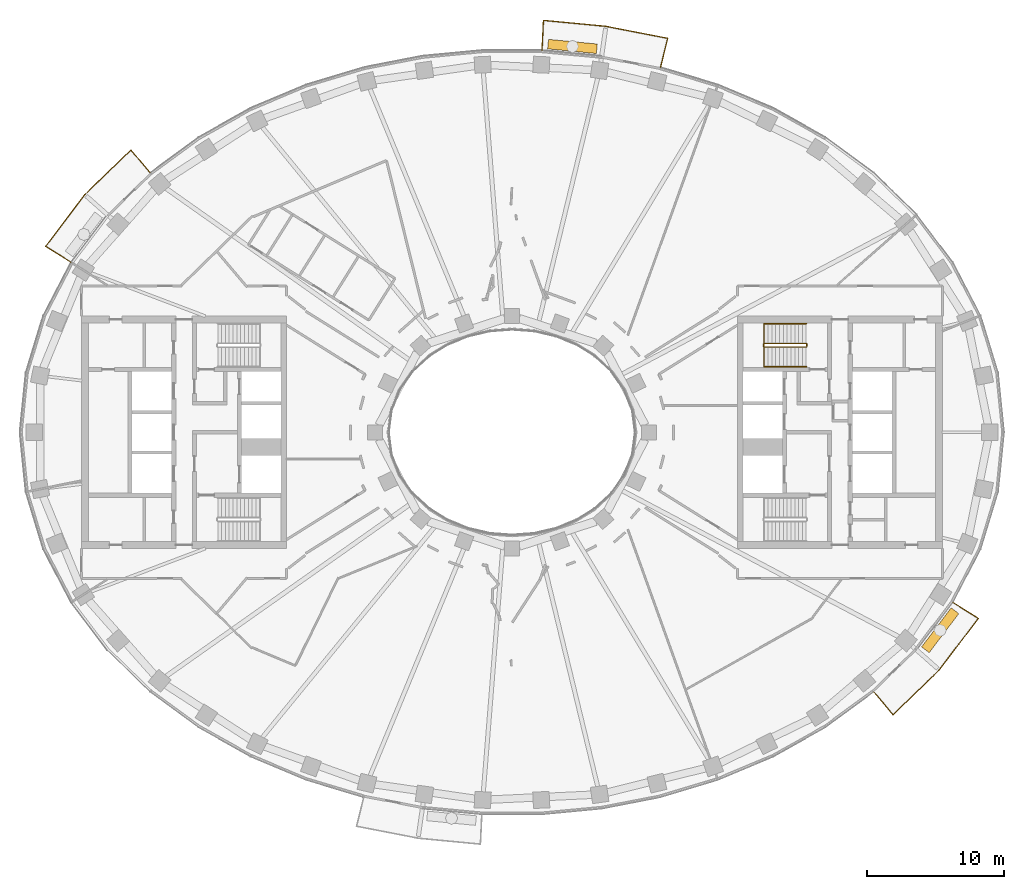
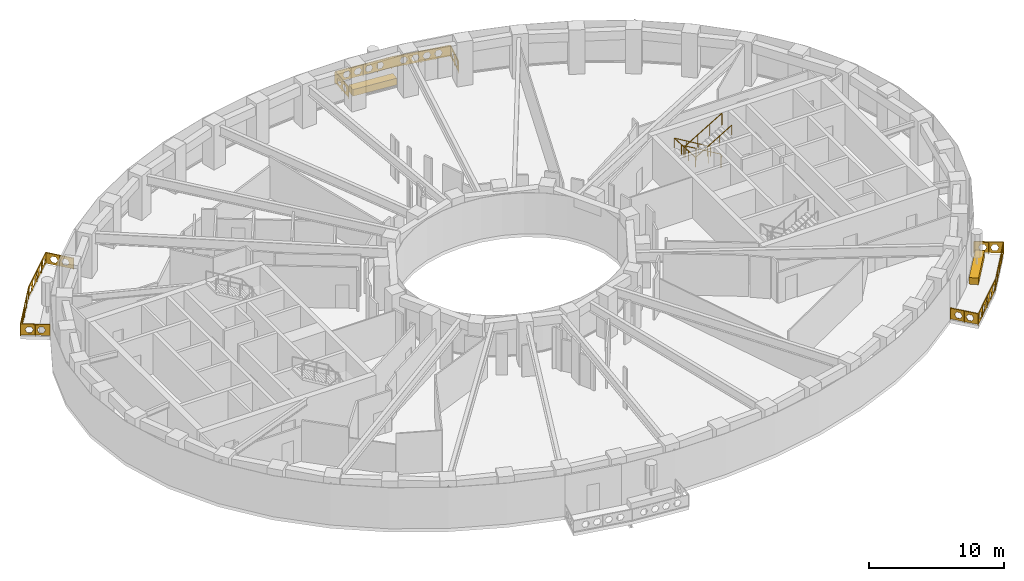
# One storey, part 15 of 16: 5 railings, 2 coverings.
"""IFC4 building model written with IfcOpenShell, lengths in metres."""

from ifc_helpers import new_model, si_unit, direction, frame, origin, origin_2d, place, context, subcontext, project, spatial, polyline, rectangle, outline, extrude, material, type_object, element, save


model = new_model("IFC4")

# Units and contexts
model_context = context("Model", 3, precision=1e-05, world=origin(), true_north=direction((0.0, 1.0)))
body_context = subcontext(model_context, "Body", "Model", "MODEL_VIEW")
ifc_project = project(units=[si_unit("LENGTHUNIT", "METRE"), si_unit("AREAUNIT", "SQUARE_METRE"), si_unit("VOLUMEUNIT", "CUBIC_METRE"), si_unit("PLANEANGLEUNIT", "RADIAN"), si_unit("MASSUNIT", "GRAM", prefix="KILO")], contexts=[model_context])

# Site, building, storey
site_placement = place(None, origin())
site = spatial("IfcSite", under=ifc_project, at=site_placement, CompositionType="ELEMENT")
building_placement = place(site_placement, origin())
building = spatial("IfcBuilding", under=site, at=building_placement, Name="Noorbagh Ring Tower", CompositionType="ELEMENT")
storey_placement = place(building_placement, frame((0.0, 0.0, 154.0)))
storey = spatial("IfcBuildingStorey", under=building, at=storey_placement, Name="L35", CompositionType="ELEMENT", Elevation=154.0)

# Railings
ifc_material_1 = material(Name="Stainless steel", Category="steel")
railing_type_1 = type_object("IfcRailingType", Name="CORE-STAIR-GUARD", PredefinedType="GUARDRAIL", material=ifc_material_1)
railing_1_placement = place(storey_placement, frame((21.580078125, 6.449951171875, 0.0)))
element("IfcRailing", 1, at=railing_1_placement, inside=storey, type_object=railing_type_1, Name="L35 ST3 stair guard", PredefinedType="GUARDRAIL", context=body_context, shape_type="SweptSolid", body=[
    extrude(rectangle(XDim=0.048095703125, YDim=0.048095703125, at=origin_2d()), frame((0.0, 0.0, 1.076171875), z_axis=(0.0, -1.0, 0.0), x_axis=(1.0, 0.0, 0.0)), (0.0, 0.0, 1.0), 0.14990234375),
    extrude(rectangle(XDim=0.048095703125, YDim=0.048095703125, at=origin_2d()), frame((0.0, -0.14990234375, 1.076171875), z_axis=(-0.188775798145, 0.754182335027, 0.628945707965), x_axis=(-0.970072785993, -0.242814311512, 0.0)), (0.0, 0.0, 1.0), 0.26513671875),
    extrude(rectangle(XDim=0.048095703125, YDim=0.048095703125, at=origin_2d()), frame((-0.050048828125, 0.050048828125, 1.24267578125), z_axis=(-0.859308565015, 0.0, 0.511457515432), x_axis=(0.0, -1.0, 0.0)), (0.0, 0.0, 1.0), 3.58447265625),
    extrude(rectangle(XDim=0.048095703125, YDim=0.048095703125, at=origin_2d()), frame((-3.130126953125, 0.050048828125, 3.076171875), z_axis=(-0.707106781187, -0.707106781187, 0.0), x_axis=(0.707106781187, -0.707106781187, 0.0)), (0.0, 0.0, 1.0), 0.07080078125),
    extrude(rectangle(XDim=0.048095703125, YDim=0.048095703125, at=origin_2d()), frame((-3.18017578125, 0.0, 3.076171875), z_axis=(0.0, -1.0, 0.0), x_axis=(1.0, 0.0, 0.0)), (0.0, 0.0, 1.0), 0.14990234375),
    extrude(rectangle(XDim=0.048095703125, YDim=0.048095703125, at=origin_2d()), frame((-3.18017578125, -0.14990234375, 3.076171875), z_axis=(0.27628659633, -0.27628659633, 0.920506074601), x_axis=(0.707106781187, 0.707106781187, 0.0)), (0.0, 0.0, 1.0), 0.18115234375),
    extrude(rectangle(XDim=0.048095703125, YDim=0.048095703125, at=origin_2d()), frame((-3.130126953125, -0.199951171875, 3.24267578125), z_axis=(0.859308565015, 0.0, 0.511457515432), x_axis=(0.0, 1.0, 0.0)), (0.0, 0.0, 1.0), 3.58447265625),
    extrude(rectangle(XDim=0.0419921875, YDim=0.0419921875, at=origin_2d()), origin(), (0.0, 0.0, 1.0), 1.052001953125),
    extrude(rectangle(XDim=0.0419921875, YDim=0.0419921875, at=origin_2d()), frame((-1.07666015625, 0.050048828125, 0.77783203125)), (0.0, 0.0, 1.0), 1.052001953125),
    extrude(rectangle(XDim=0.0419921875, YDim=0.0419921875, at=origin_2d()), frame((-2.103515625, 0.050048828125, 1.388916015625)), (0.0, 0.0, 1.0), 1.052001953125),
    extrude(rectangle(XDim=0.0419921875, YDim=0.0419921875, at=origin_2d()), frame((-3.130126953125, 0.050048828125, 2.0)), (0.0, 0.0, 1.0), 1.052001953125),
    extrude(rectangle(XDim=0.0419921875, YDim=0.0419921875, at=origin_2d()), frame((-3.130126953125, -0.199951171875, 2.166748046875)), (0.0, 0.0, 1.0), 1.052001953125),
    extrude(rectangle(XDim=0.0419921875, YDim=0.0419921875, at=origin_2d()), frame((-2.103515625, -0.199951171875, 2.77783203125)), (0.0, 0.0, 1.0), 1.052001953125),
    extrude(rectangle(XDim=0.0419921875, YDim=0.0419921875, at=origin_2d()), frame((-1.07666015625, -0.199951171875, 3.388916015625)), (0.0, 0.0, 1.0), 1.052001953125),
    extrude(rectangle(XDim=0.0419921875, YDim=0.0419921875, at=origin_2d()), frame((-0.050048828125, -0.199951171875, 4.0)), (0.0, 0.0, 1.0), 1.052001953125),
])
ifc_material_2 = material(Name="Stainless steel", Category="steel")
railing_type_2 = type_object("IfcRailingType", Name="CORE-STAIR-HANDRAIL", PredefinedType="HANDRAIL", material=ifc_material_2)
railing_2_placement = place(storey_placement, frame((21.530029296875, 7.949951171875, 0.166748046875)))
element("IfcRailing", 2, at=railing_2_placement, inside=storey, type_object=railing_type_2, Name="L35 ST3 stair handrail", PredefinedType="HANDRAIL", context=body_context, shape_type="SweptSolid", body=[
    extrude(rectangle(XDim=0.048095703125, YDim=0.048095703125, at=origin_2d()), frame((0.0, 0.0, 0.8759765625), z_axis=(-0.859308565015, 0.0, 0.511457515432), x_axis=(0.0, -1.0, 0.0)), (0.0, 0.0, 1.0), 3.58447265625),
    extrude(rectangle(XDim=0.048095703125, YDim=0.048095703125, at=origin_2d()), frame((-3.080078125, 0.0, 2.708984375), z_axis=(0.0, -0.998601747152, 0.052863509014), x_axis=(1.0, 0.0, 0.0)), (0.0, 0.0, 1.0), 3.154296875),
    extrude(rectangle(XDim=0.048095703125, YDim=0.048095703125, at=origin_2d()), frame((-3.080078125, -3.14990234375, 2.8759765625), z_axis=(0.859308565015, 0.0, 0.511457515432), x_axis=(0.0, 1.0, 0.0)), (0.0, 0.0, 1.0), 3.58447265625),
    extrude(rectangle(XDim=0.0419921875, YDim=0.0419921875, at=origin_2d()), origin(), (0.0, 0.0, 1.0), 0.851806640625),
    extrude(rectangle(XDim=0.0419921875, YDim=0.0419921875, at=origin_2d()), frame((-1.026611328125, 0.0, 0.611083984375)), (0.0, 0.0, 1.0), 0.851806640625),
    extrude(rectangle(XDim=0.0419921875, YDim=0.0419921875, at=origin_2d()), frame((-2.053466796875, 0.0, 1.22216796875)), (0.0, 0.0, 1.0), 0.851806640625),
    extrude(rectangle(XDim=0.0419921875, YDim=0.0419921875, at=origin_2d()), frame((-3.080078125, 0.0, 1.833251953125)), (0.0, 0.0, 1.0), 0.851806640625),
    extrude(rectangle(XDim=0.0419921875, YDim=0.0419921875, at=origin_2d()), frame((-3.080078125, -1.050048828125, 1.888916015625)), (0.0, 0.0, 1.0), 0.851806640625),
    extrude(rectangle(XDim=0.0419921875, YDim=0.0419921875, at=origin_2d()), frame((-3.080078125, -2.099853515625, 1.9443359375)), (0.0, 0.0, 1.0), 0.851806640625),
    extrude(rectangle(XDim=0.0419921875, YDim=0.0419921875, at=origin_2d()), frame((-3.080078125, -3.14990234375, 2.0)), (0.0, 0.0, 1.0), 0.851806640625),
    extrude(rectangle(XDim=0.0419921875, YDim=0.0419921875, at=origin_2d()), frame((-2.053466796875, -3.14990234375, 2.611083984375)), (0.0, 0.0, 1.0), 0.851806640625),
    extrude(rectangle(XDim=0.0419921875, YDim=0.0419921875, at=origin_2d()), frame((-1.026611328125, -3.14990234375, 3.22216796875)), (0.0, 0.0, 1.0), 0.851806640625),
    extrude(rectangle(XDim=0.0419921875, YDim=0.0419921875, at=origin_2d()), frame((0.0, -3.14990234375, 3.833251953125)), (0.0, 0.0, 1.0), 0.851806640625),
])
ifc_material_3 = material(Name="Steel S275 black powder-coated", Category="steel")
railing_type_3 = type_object("IfcRailingType", Name="ENV-GUARD", PredefinedType="GUARDRAIL", material=ifc_material_3)
railing_3_placement = place(storey_placement, frame((10.865234375, 26.6943359375, 0.0)))
element("IfcRailing", 3, at=railing_3_placement, inside=storey, type_object=railing_type_3, Name="Balcony guard BN03", PredefinedType="GUARDRAIL", context=body_context, shape_type="SweptSolid", body=[
    extrude(rectangle(XDim=0.048095703125, YDim=0.048095703125, at=origin_2d()), frame((0.0, 0.0, 1.076171875), z_axis=(0.239848558412, 0.970810315679, 0.0), x_axis=(-0.970810315679, 0.239848558412, 0.0)), (0.0, 0.0, 1.0), 2.20263671875),
    extrude(rectangle(XDim=0.048095703125, YDim=0.048095703125, at=origin_2d()), frame((0.5283203125, 2.138427734375, 1.076171875), z_axis=(-0.981625049064, 0.1908199755, 0.0), x_axis=(-0.1908199755, -0.981625049064, 0.0)), (0.0, 0.0, 1.0), 4.603271484375),
    extrude(rectangle(XDim=0.048095703125, YDim=0.048095703125, at=origin_2d()), frame((-3.990478515625, 3.016845703125, 1.076171875), z_axis=(-0.995477555764, 0.094997031379, 0.0), x_axis=(-0.094997031379, -0.995477555764, 0.0)), (0.0, 0.0, 1.0), 4.59765625),
    extrude(rectangle(XDim=0.048095703125, YDim=0.048095703125, at=origin_2d()), frame((-8.5673828125, 3.45361328125, 1.076171875), z_axis=(-0.047554616162, -0.998868639252, 0.0), x_axis=(0.998868639252, -0.047554616162, 0.0)), (0.0, 0.0, 1.0), 2.202392578125),
    extrude(rectangle(XDim=0.0419921875, YDim=0.0419921875, at=origin_2d()), origin(), (0.0, 0.0, 1.0), 1.052001953125),
    extrude(rectangle(XDim=0.0419921875, YDim=0.0419921875, at=origin_2d()), frame((0.26416015625, 1.0693359375, 0.0)), (0.0, 0.0, 1.0), 1.052001953125),
    extrude(rectangle(XDim=0.0419921875, YDim=0.0419921875, at=origin_2d()), frame((0.5283203125, 2.138427734375, 0.0)), (0.0, 0.0, 1.0), 1.052001953125),
    extrude(rectangle(XDim=0.0419921875, YDim=0.0419921875, at=origin_2d()), frame((-0.601318359375, 2.35791015625, 0.0)), (0.0, 0.0, 1.0), 1.052001953125),
    extrude(rectangle(XDim=0.0419921875, YDim=0.0419921875, at=origin_2d()), frame((-1.73095703125, 2.57763671875, 0.0)), (0.0, 0.0, 1.0), 1.052001953125),
    extrude(rectangle(XDim=0.0419921875, YDim=0.0419921875, at=origin_2d()), frame((-2.86083984375, 2.79736328125, 0.0)), (0.0, 0.0, 1.0), 1.052001953125),
    extrude(rectangle(XDim=0.0419921875, YDim=0.0419921875, at=origin_2d()), frame((-3.990478515625, 3.016845703125, 0.0)), (0.0, 0.0, 1.0), 1.052001953125),
    extrude(rectangle(XDim=0.0419921875, YDim=0.0419921875, at=origin_2d()), frame((-5.134765625, 3.1259765625, 0.0)), (0.0, 0.0, 1.0), 1.052001953125),
    extrude(rectangle(XDim=0.0419921875, YDim=0.0419921875, at=origin_2d()), frame((-6.27880859375, 3.2353515625, 0.0)), (0.0, 0.0, 1.0), 1.052001953125),
    extrude(rectangle(XDim=0.0419921875, YDim=0.0419921875, at=origin_2d()), frame((-7.423095703125, 3.344482421875, 0.0)), (0.0, 0.0, 1.0), 1.052001953125),
    extrude(rectangle(XDim=0.0419921875, YDim=0.0419921875, at=origin_2d()), frame((-8.5673828125, 3.45361328125, 0.0)), (0.0, 0.0, 1.0), 1.052001953125),
    extrude(rectangle(XDim=0.0419921875, YDim=0.0419921875, at=origin_2d()), frame((-8.61962890625, 2.353515625, 0.0)), (0.0, 0.0, 1.0), 1.052001953125),
    extrude(rectangle(XDim=0.0419921875, YDim=0.0419921875, at=origin_2d()), frame((-8.672119140625, 1.253662109375, 0.0)), (0.0, 0.0, 1.0), 1.052001953125),
    extrude(outline(polyline([(0.0, 0.10009765625), (2.20263671875, 0.10009765625), (2.20263671875, 1.031982421875), (0.0, 1.031982421875), (0.0, 0.10009765625)]), holes=[polyline([(0.96142578125, 0.56591796875), (0.806396484375, 0.83447265625), (0.496337890625, 0.83447265625), (0.34130859375, 0.56591796875), (0.496337890625, 0.297607421875), (0.806396484375, 0.297607421875), (0.96142578125, 0.56591796875)]), polyline([(1.861328125, 0.56591796875), (1.706298828125, 0.83447265625), (1.396240234375, 0.83447265625), (1.241455078125, 0.56591796875), (1.396240234375, 0.297607421875), (1.706298828125, 0.297607421875), (1.861328125, 0.56591796875)])]), frame((-0.009765625, 0.00244140625, 0.0), z_axis=(0.970810315679, -0.239848558412, 0.0), x_axis=(0.239848558412, 0.970810315679, 0.0)), (0.0, 0.0, 1.0), 0.02001953125),
    extrude(outline(polyline([(0.0, 0.10009765625), (4.603271484375, 0.10009765625), (4.603271484375, 1.031982421875), (0.0, 1.031982421875), (0.0, 0.10009765625)]), holes=[polyline([(1.26171875, 0.56591796875), (1.106689453125, 0.83447265625), (0.796630859375, 0.83447265625), (0.6416015625, 0.56591796875), (0.796630859375, 0.297607421875), (1.106689453125, 0.297607421875), (1.26171875, 0.56591796875)]), polyline([(2.16162109375, 0.56591796875), (2.006591796875, 0.83447265625), (1.69677734375, 0.83447265625), (1.541748046875, 0.56591796875), (1.69677734375, 0.297607421875), (2.006591796875, 0.297607421875), (2.16162109375, 0.56591796875)]), polyline([(3.061767578125, 0.56591796875), (2.90673828125, 0.83447265625), (2.5966796875, 0.83447265625), (2.441650390625, 0.56591796875), (2.5966796875, 0.297607421875), (2.90673828125, 0.297607421875), (3.061767578125, 0.56591796875)]), polyline([(3.961669921875, 0.56591796875), (3.806640625, 0.83447265625), (3.49658203125, 0.83447265625), (3.341796875, 0.56591796875), (3.49658203125, 0.297607421875), (3.806640625, 0.297607421875), (3.961669921875, 0.56591796875)])]), frame((0.5263671875, 2.128662109375, 0.0), z_axis=(0.1908199755, 0.981625049064, 0.0), x_axis=(-0.981625049064, 0.1908199755, 0.0)), (0.0, 0.0, 1.0), 0.02001953125),
    extrude(outline(polyline([(0.0, 0.10009765625), (4.59765625, 0.10009765625), (4.59765625, 1.031982421875), (0.0, 1.031982421875), (0.0, 0.10009765625)]), holes=[polyline([(1.2587890625, 0.56591796875), (1.103759765625, 0.83447265625), (0.7939453125, 0.83447265625), (0.638916015625, 0.56591796875), (0.7939453125, 0.297607421875), (1.103759765625, 0.297607421875), (1.2587890625, 0.56591796875)]), polyline([(2.158935546875, 0.56591796875), (2.00390625, 0.83447265625), (1.69384765625, 0.83447265625), (1.538818359375, 0.56591796875), (1.69384765625, 0.297607421875), (2.00390625, 0.297607421875), (2.158935546875, 0.56591796875)]), polyline([(3.058837890625, 0.56591796875), (2.90380859375, 0.83447265625), (2.59375, 0.83447265625), (2.43896484375, 0.56591796875), (2.59375, 0.297607421875), (2.90380859375, 0.297607421875), (3.058837890625, 0.56591796875)]), polyline([(3.958740234375, 0.56591796875), (3.803955078125, 0.83447265625), (3.493896484375, 0.83447265625), (3.3388671875, 0.56591796875), (3.493896484375, 0.297607421875), (3.803955078125, 0.297607421875), (3.958740234375, 0.56591796875)])]), frame((-3.991455078125, 3.0068359375, 0.0), z_axis=(0.094997031379, 0.995477555764, 0.0), x_axis=(-0.995477555764, 0.094997031379, 0.0)), (0.0, 0.0, 1.0), 0.02001953125),
    extrude(outline(polyline([(0.0, 0.10009765625), (2.202392578125, 0.10009765625), (2.202392578125, 1.031982421875), (0.0, 1.031982421875), (0.0, 0.10009765625)]), holes=[polyline([(0.961181640625, 0.56591796875), (0.80615234375, 0.83447265625), (0.496337890625, 0.83447265625), (0.34130859375, 0.56591796875), (0.496337890625, 0.297607421875), (0.80615234375, 0.297607421875), (0.961181640625, 0.56591796875)]), polyline([(1.861328125, 0.56591796875), (1.706298828125, 0.83447265625), (1.396240234375, 0.83447265625), (1.2412109375, 0.56591796875), (1.396240234375, 0.297607421875), (1.706298828125, 0.297607421875), (1.861328125, 0.56591796875)])]), frame((-8.557373046875, 3.453125, 0.0), z_axis=(-0.998868639252, 0.047554616162, 0.0), x_axis=(-0.047554616162, -0.998868639252, 0.0)), (0.0, 0.0, 1.0), 0.02001953125),
])
railing_4_placement = place(storey_placement, frame((-26.463134765625, 18.983154296875, 0.0)))
element("IfcRailing", 4, at=railing_4_placement, inside=storey, type_object=railing_type_3, Name="Balcony guard BN06", PredefinedType="GUARDRAIL", context=body_context, shape_type="SweptSolid", body=[
    extrude(rectangle(XDim=0.048095703125, YDim=0.048095703125, at=origin_2d()), frame((0.0, 0.0, 1.076171875), z_axis=(-0.646413574048, 0.762987215677, 0.0), x_axis=(-0.762987215677, -0.646413574048, 0.0)), (0.0, 0.0, 1.0), 2.205322265625),
    extrude(rectangle(XDim=0.048095703125, YDim=0.048095703125, at=origin_2d()), frame((-1.425537109375, 1.6826171875, 1.076171875), z_axis=(-0.717212632946, -0.696854388766, 0.0), x_axis=(0.696854388766, -0.717212632946, 0.0)), (0.0, 0.0, 1.0), 4.700927734375),
    extrude(rectangle(XDim=0.048095703125, YDim=0.048095703125, at=origin_2d()), frame((-4.797119140625, -1.59326171875, 1.076171875), z_axis=(-0.604001613322, -0.796983093362, 0.0), x_axis=(0.796983093362, -0.604001613322, 0.0)), (0.0, 0.0, 1.0), 4.7353515625),
    extrude(rectangle(XDim=0.048095703125, YDim=0.048095703125, at=origin_2d()), frame((-7.6572265625, -5.3671875, 1.076171875), z_axis=(0.844852397829, -0.534999463442, 0.0), x_axis=(0.534999463442, 0.844852397829, 0.0)), (0.0, 0.0, 1.0), 2.207763671875),
    extrude(rectangle(XDim=0.0419921875, YDim=0.0419921875, at=origin_2d()), origin(), (0.0, 0.0, 1.0), 1.052001953125),
    extrude(rectangle(XDim=0.0419921875, YDim=0.0419921875, at=origin_2d()), frame((-0.712890625, 0.84130859375, 0.0)), (0.0, 0.0, 1.0), 1.052001953125),
    extrude(rectangle(XDim=0.0419921875, YDim=0.0419921875, at=origin_2d()), frame((-1.425537109375, 1.6826171875, 0.0)), (0.0, 0.0, 1.0), 1.052001953125),
    extrude(rectangle(XDim=0.0419921875, YDim=0.0419921875, at=origin_2d()), frame((-2.2685546875, 0.86376953125, 0.0)), (0.0, 0.0, 1.0), 1.052001953125),
    extrude(rectangle(XDim=0.0419921875, YDim=0.0419921875, at=origin_2d()), frame((-3.111328125, 0.044677734375, 0.0)), (0.0, 0.0, 1.0), 1.052001953125),
    extrude(rectangle(XDim=0.0419921875, YDim=0.0419921875, at=origin_2d()), frame((-3.9541015625, -0.7744140625, 0.0)), (0.0, 0.0, 1.0), 1.052001953125),
    extrude(rectangle(XDim=0.0419921875, YDim=0.0419921875, at=origin_2d()), frame((-4.797119140625, -1.59326171875, 0.0)), (0.0, 0.0, 1.0), 1.052001953125),
    extrude(rectangle(XDim=0.0419921875, YDim=0.0419921875, at=origin_2d()), frame((-5.51220703125, -2.53662109375, 0.0)), (0.0, 0.0, 1.0), 1.052001953125),
    extrude(rectangle(XDim=0.0419921875, YDim=0.0419921875, at=origin_2d()), frame((-6.22705078125, -3.480224609375, 0.0)), (0.0, 0.0, 1.0), 1.052001953125),
    extrude(rectangle(XDim=0.0419921875, YDim=0.0419921875, at=origin_2d()), frame((-6.942138671875, -4.423828125, 0.0)), (0.0, 0.0, 1.0), 1.052001953125),
    extrude(rectangle(XDim=0.0419921875, YDim=0.0419921875, at=origin_2d()), frame((-7.6572265625, -5.3671875, 0.0)), (0.0, 0.0, 1.0), 1.052001953125),
    extrude(rectangle(XDim=0.0419921875, YDim=0.0419921875, at=origin_2d()), frame((-6.724609375, -5.957763671875, 0.0)), (0.0, 0.0, 1.0), 1.052001953125),
    extrude(rectangle(XDim=0.0419921875, YDim=0.0419921875, at=origin_2d()), frame((-5.7919921875, -6.54833984375, 0.0)), (0.0, 0.0, 1.0), 1.052001953125),
    extrude(outline(polyline([(0.0, 0.10009765625), (2.205322265625, 0.10009765625), (2.205322265625, 1.031982421875), (0.0, 1.031982421875), (0.0, 0.10009765625)]), holes=[polyline([(0.962646484375, 0.56591796875), (0.8076171875, 0.83447265625), (0.49755859375, 0.83447265625), (0.342529296875, 0.56591796875), (0.49755859375, 0.297607421875), (0.8076171875, 0.297607421875), (0.962646484375, 0.56591796875)]), polyline([(1.862548828125, 0.56591796875), (1.707763671875, 0.83447265625), (1.397705078125, 0.83447265625), (1.24267578125, 0.56591796875), (1.397705078125, 0.297607421875), (1.707763671875, 0.297607421875), (1.862548828125, 0.56591796875)])]), frame((-0.007568359375, -0.00634765625, 0.0), z_axis=(0.762987215677, 0.646413574048, 0.0), x_axis=(-0.646413574048, 0.762987215677, 0.0)), (0.0, 0.0, 1.0), 0.02001953125),
    extrude(outline(polyline([(0.0, 0.10009765625), (4.700927734375, 0.10009765625), (4.700927734375, 1.031982421875), (0.0, 1.031982421875), (0.0, 0.10009765625)]), holes=[polyline([(0.860595703125, 0.56591796875), (0.70556640625, 0.83447265625), (0.3955078125, 0.83447265625), (0.240478515625, 0.56591796875), (0.3955078125, 0.297607421875), (0.70556640625, 0.297607421875), (0.860595703125, 0.56591796875)]), polyline([(1.760498046875, 0.56591796875), (1.60546875, 0.83447265625), (1.29541015625, 0.83447265625), (1.140380859375, 0.56591796875), (1.29541015625, 0.297607421875), (1.60546875, 0.297607421875), (1.760498046875, 0.56591796875)]), polyline([(2.660400390625, 0.56591796875), (2.50537109375, 0.83447265625), (2.195556640625, 0.83447265625), (2.04052734375, 0.56591796875), (2.195556640625, 0.297607421875), (2.50537109375, 0.297607421875), (2.660400390625, 0.56591796875)]), polyline([(3.560546875, 0.56591796875), (3.405517578125, 0.83447265625), (3.095458984375, 0.83447265625), (2.9404296875, 0.56591796875), (3.095458984375, 0.297607421875), (3.405517578125, 0.297607421875), (3.560546875, 0.56591796875)]), polyline([(4.46044921875, 0.56591796875), (4.305419921875, 0.83447265625), (3.995361328125, 0.83447265625), (3.840576171875, 0.56591796875), (3.995361328125, 0.297607421875), (4.305419921875, 0.297607421875), (4.46044921875, 0.56591796875)])]), frame((-1.41845703125, 1.675537109375, 0.0), z_axis=(-0.696854388766, 0.717212632946, 0.0), x_axis=(-0.717212632946, -0.696854388766, 0.0)), (0.0, 0.0, 1.0), 0.02001953125),
    extrude(outline(polyline([(0.0, 0.10009765625), (4.7353515625, 0.10009765625), (4.7353515625, 1.031982421875), (0.0, 1.031982421875), (0.0, 0.10009765625)]), holes=[polyline([(0.877685546875, 0.56591796875), (0.72265625, 0.83447265625), (0.41259765625, 0.83447265625), (0.257568359375, 0.56591796875), (0.41259765625, 0.297607421875), (0.72265625, 0.297607421875), (0.877685546875, 0.56591796875)]), polyline([(1.777587890625, 0.56591796875), (1.62255859375, 0.83447265625), (1.312744140625, 0.83447265625), (1.15771484375, 0.56591796875), (1.312744140625, 0.297607421875), (1.62255859375, 0.297607421875), (1.777587890625, 0.56591796875)]), polyline([(2.677734375, 0.56591796875), (2.522705078125, 0.83447265625), (2.212646484375, 0.83447265625), (2.0576171875, 0.56591796875), (2.212646484375, 0.297607421875), (2.522705078125, 0.297607421875), (2.677734375, 0.56591796875)]), polyline([(3.57763671875, 0.56591796875), (3.422607421875, 0.83447265625), (3.112548828125, 0.83447265625), (2.95751953125, 0.56591796875), (3.112548828125, 0.297607421875), (3.422607421875, 0.297607421875), (3.57763671875, 0.56591796875)]), polyline([(4.4775390625, 0.56591796875), (4.32275390625, 0.83447265625), (4.0126953125, 0.83447265625), (3.857666015625, 0.56591796875), (4.0126953125, 0.297607421875), (4.32275390625, 0.297607421875), (4.4775390625, 0.56591796875)])]), frame((-4.7890625, -1.599365234375, 0.0), z_axis=(-0.796983093362, 0.604001613322, 0.0), x_axis=(-0.604001613322, -0.796983093362, 0.0)), (0.0, 0.0, 1.0), 0.02001953125),
    extrude(outline(polyline([(0.0, 0.10009765625), (2.207763671875, 0.10009765625), (2.207763671875, 1.031982421875), (0.0, 1.031982421875), (0.0, 0.10009765625)]), holes=[polyline([(0.9638671875, 0.56591796875), (0.808837890625, 0.83447265625), (0.498779296875, 0.83447265625), (0.343994140625, 0.56591796875), (0.498779296875, 0.297607421875), (0.808837890625, 0.297607421875), (0.9638671875, 0.56591796875)]), polyline([(1.86376953125, 0.56591796875), (1.708984375, 0.83447265625), (1.39892578125, 0.83447265625), (1.243896484375, 0.56591796875), (1.39892578125, 0.297607421875), (1.708984375, 0.297607421875), (1.86376953125, 0.56591796875)])]), frame((-7.65185546875, -5.358642578125, 0.0), z_axis=(-0.534999463442, -0.844852397829, 0.0), x_axis=(0.844852397829, -0.534999463442, 0.0)), (0.0, 0.0, 1.0), 0.02001953125),
])
railing_5_placement = place(storey_placement, frame((26.463134765625, -18.983154296875, 0.0)))
element("IfcRailing", 5, at=railing_5_placement, inside=storey, type_object=railing_type_3, Name="Balcony guard BS06", PredefinedType="GUARDRAIL", context=body_context, shape_type="SweptSolid", body=[
    extrude(rectangle(XDim=0.048095703125, YDim=0.048095703125, at=origin_2d()), frame((0.0, 0.0, 1.076171875), z_axis=(0.646413574048, -0.762987215677, 0.0), x_axis=(0.762987215677, 0.646413574048, 0.0)), (0.0, 0.0, 1.0), 2.205322265625),
    extrude(rectangle(XDim=0.048095703125, YDim=0.048095703125, at=origin_2d()), frame((1.425537109375, -1.6826171875, 1.076171875), z_axis=(0.717212632946, 0.696854388766, 0.0), x_axis=(-0.696854388766, 0.717212632946, 0.0)), (0.0, 0.0, 1.0), 4.700927734375),
    extrude(rectangle(XDim=0.048095703125, YDim=0.048095703125, at=origin_2d()), frame((4.797119140625, 1.59326171875, 1.076171875), z_axis=(0.604001613322, 0.796983093362, 0.0), x_axis=(-0.796983093362, 0.604001613322, 0.0)), (0.0, 0.0, 1.0), 4.7353515625),
    extrude(rectangle(XDim=0.048095703125, YDim=0.048095703125, at=origin_2d()), frame((7.6572265625, 5.3671875, 1.076171875), z_axis=(-0.844852397829, 0.534999463442, 0.0), x_axis=(-0.534999463442, -0.844852397829, 0.0)), (0.0, 0.0, 1.0), 2.207763671875),
    extrude(rectangle(XDim=0.0419921875, YDim=0.0419921875, at=origin_2d()), origin(), (0.0, 0.0, 1.0), 1.052001953125),
    extrude(rectangle(XDim=0.0419921875, YDim=0.0419921875, at=origin_2d()), frame((0.712890625, -0.84130859375, 0.0)), (0.0, 0.0, 1.0), 1.052001953125),
    extrude(rectangle(XDim=0.0419921875, YDim=0.0419921875, at=origin_2d()), frame((1.425537109375, -1.6826171875, 0.0)), (0.0, 0.0, 1.0), 1.052001953125),
    extrude(rectangle(XDim=0.0419921875, YDim=0.0419921875, at=origin_2d()), frame((2.2685546875, -0.86376953125, 0.0)), (0.0, 0.0, 1.0), 1.052001953125),
    extrude(rectangle(XDim=0.0419921875, YDim=0.0419921875, at=origin_2d()), frame((3.111328125, -0.044677734375, 0.0)), (0.0, 0.0, 1.0), 1.052001953125),
    extrude(rectangle(XDim=0.0419921875, YDim=0.0419921875, at=origin_2d()), frame((3.9541015625, 0.7744140625, 0.0)), (0.0, 0.0, 1.0), 1.052001953125),
    extrude(rectangle(XDim=0.0419921875, YDim=0.0419921875, at=origin_2d()), frame((4.797119140625, 1.59326171875, 0.0)), (0.0, 0.0, 1.0), 1.052001953125),
    extrude(rectangle(XDim=0.0419921875, YDim=0.0419921875, at=origin_2d()), frame((5.51220703125, 2.53662109375, 0.0)), (0.0, 0.0, 1.0), 1.052001953125),
    extrude(rectangle(XDim=0.0419921875, YDim=0.0419921875, at=origin_2d()), frame((6.22705078125, 3.480224609375, 0.0)), (0.0, 0.0, 1.0), 1.052001953125),
    extrude(rectangle(XDim=0.0419921875, YDim=0.0419921875, at=origin_2d()), frame((6.942138671875, 4.423828125, 0.0)), (0.0, 0.0, 1.0), 1.052001953125),
    extrude(rectangle(XDim=0.0419921875, YDim=0.0419921875, at=origin_2d()), frame((7.6572265625, 5.3671875, 0.0)), (0.0, 0.0, 1.0), 1.052001953125),
    extrude(rectangle(XDim=0.0419921875, YDim=0.0419921875, at=origin_2d()), frame((6.724609375, 5.957763671875, 0.0)), (0.0, 0.0, 1.0), 1.052001953125),
    extrude(rectangle(XDim=0.0419921875, YDim=0.0419921875, at=origin_2d()), frame((5.7919921875, 6.54833984375, 0.0)), (0.0, 0.0, 1.0), 1.052001953125),
    extrude(outline(polyline([(0.0, 0.10009765625), (2.205322265625, 0.10009765625), (2.205322265625, 1.031982421875), (0.0, 1.031982421875), (0.0, 0.10009765625)]), holes=[polyline([(0.962646484375, 0.56591796875), (0.8076171875, 0.83447265625), (0.49755859375, 0.83447265625), (0.342529296875, 0.56591796875), (0.49755859375, 0.297607421875), (0.8076171875, 0.297607421875), (0.962646484375, 0.56591796875)]), polyline([(1.862548828125, 0.56591796875), (1.707763671875, 0.83447265625), (1.397705078125, 0.83447265625), (1.24267578125, 0.56591796875), (1.397705078125, 0.297607421875), (1.707763671875, 0.297607421875), (1.862548828125, 0.56591796875)])]), frame((0.007568359375, 0.00634765625, 0.0), z_axis=(-0.762987215677, -0.646413574048, 0.0), x_axis=(0.646413574048, -0.762987215677, 0.0)), (0.0, 0.0, 1.0), 0.02001953125),
    extrude(outline(polyline([(0.0, 0.10009765625), (4.700927734375, 0.10009765625), (4.700927734375, 1.031982421875), (0.0, 1.031982421875), (0.0, 0.10009765625)]), holes=[polyline([(0.860595703125, 0.56591796875), (0.70556640625, 0.83447265625), (0.3955078125, 0.83447265625), (0.240478515625, 0.56591796875), (0.3955078125, 0.297607421875), (0.70556640625, 0.297607421875), (0.860595703125, 0.56591796875)]), polyline([(1.760498046875, 0.56591796875), (1.60546875, 0.83447265625), (1.29541015625, 0.83447265625), (1.140380859375, 0.56591796875), (1.29541015625, 0.297607421875), (1.60546875, 0.297607421875), (1.760498046875, 0.56591796875)]), polyline([(2.660400390625, 0.56591796875), (2.50537109375, 0.83447265625), (2.195556640625, 0.83447265625), (2.04052734375, 0.56591796875), (2.195556640625, 0.297607421875), (2.50537109375, 0.297607421875), (2.660400390625, 0.56591796875)]), polyline([(3.560546875, 0.56591796875), (3.405517578125, 0.83447265625), (3.095458984375, 0.83447265625), (2.9404296875, 0.56591796875), (3.095458984375, 0.297607421875), (3.405517578125, 0.297607421875), (3.560546875, 0.56591796875)]), polyline([(4.46044921875, 0.56591796875), (4.305419921875, 0.83447265625), (3.995361328125, 0.83447265625), (3.840576171875, 0.56591796875), (3.995361328125, 0.297607421875), (4.305419921875, 0.297607421875), (4.46044921875, 0.56591796875)])]), frame((1.41845703125, -1.675537109375, 0.0), z_axis=(0.696854388766, -0.717212632946, 0.0), x_axis=(0.717212632946, 0.696854388766, 0.0)), (0.0, 0.0, 1.0), 0.02001953125),
    extrude(outline(polyline([(0.0, 0.10009765625), (4.7353515625, 0.10009765625), (4.7353515625, 1.031982421875), (0.0, 1.031982421875), (0.0, 0.10009765625)]), holes=[polyline([(0.877685546875, 0.56591796875), (0.72265625, 0.83447265625), (0.41259765625, 0.83447265625), (0.257568359375, 0.56591796875), (0.41259765625, 0.297607421875), (0.72265625, 0.297607421875), (0.877685546875, 0.56591796875)]), polyline([(1.777587890625, 0.56591796875), (1.62255859375, 0.83447265625), (1.312744140625, 0.83447265625), (1.15771484375, 0.56591796875), (1.312744140625, 0.297607421875), (1.62255859375, 0.297607421875), (1.777587890625, 0.56591796875)]), polyline([(2.677734375, 0.56591796875), (2.522705078125, 0.83447265625), (2.212646484375, 0.83447265625), (2.0576171875, 0.56591796875), (2.212646484375, 0.297607421875), (2.522705078125, 0.297607421875), (2.677734375, 0.56591796875)]), polyline([(3.57763671875, 0.56591796875), (3.422607421875, 0.83447265625), (3.112548828125, 0.83447265625), (2.95751953125, 0.56591796875), (3.112548828125, 0.297607421875), (3.422607421875, 0.297607421875), (3.57763671875, 0.56591796875)]), polyline([(4.4775390625, 0.56591796875), (4.32275390625, 0.83447265625), (4.0126953125, 0.83447265625), (3.857666015625, 0.56591796875), (4.0126953125, 0.297607421875), (4.32275390625, 0.297607421875), (4.4775390625, 0.56591796875)])]), frame((4.7890625, 1.599365234375, 0.0), z_axis=(0.796983093362, -0.604001613322, 0.0), x_axis=(0.604001613322, 0.796983093362, 0.0)), (0.0, 0.0, 1.0), 0.02001953125),
    extrude(outline(polyline([(0.0, 0.10009765625), (2.207763671875, 0.10009765625), (2.207763671875, 1.031982421875), (0.0, 1.031982421875), (0.0, 0.10009765625)]), holes=[polyline([(0.9638671875, 0.56591796875), (0.808837890625, 0.83447265625), (0.498779296875, 0.83447265625), (0.343994140625, 0.56591796875), (0.498779296875, 0.297607421875), (0.808837890625, 0.297607421875), (0.9638671875, 0.56591796875)]), polyline([(1.86376953125, 0.56591796875), (1.708984375, 0.83447265625), (1.39892578125, 0.83447265625), (1.243896484375, 0.56591796875), (1.39892578125, 0.297607421875), (1.708984375, 0.297607421875), (1.86376953125, 0.56591796875)])]), frame((7.65185546875, 5.358642578125, 0.0), z_axis=(0.534999463442, 0.844852397829, 0.0), x_axis=(-0.844852397829, 0.534999463442, 0.0)), (0.0, 0.0, 1.0), 0.02001953125),
])

# Coverings
ifc_material_4 = material(Name="Concrete C30/37 planter with soil", Category="concrete")
covering_type = type_object("IfcCoveringType", Name="ENV-PLANTER", PredefinedType="CLADDING", material=ifc_material_4)
covering_1_placement = place(storey_placement, frame((4.423828125, 28.2373046875, 0.0), z_axis=(0.0, 0.0, 1.0), x_axis=(-0.995476497323, 0.095008122171, 0.0)))
element("IfcCovering", 6, at=covering_1_placement, inside=storey, type_object=covering_type, Name="PLANTER BN03", ObjectType="PLANTER", PredefinedType="CLADDING", context=body_context, shape_type="SweptSolid", body=[
    extrude(rectangle(XDim=3.58642578125, YDim=0.699951171875, at=origin_2d()), origin(), (0.0, 0.0, 1.0), 0.60009765625),
])
covering_2_placement = place(storey_placement, frame((31.329833984375, -14.4833984375, 0.0), z_axis=(0.0, 0.0, 1.0), x_axis=(0.604020184358, 0.796969018776, 0.0)))
element("IfcCovering", 7, at=covering_2_placement, inside=storey, type_object=covering_type, Name="PLANTER BS06", ObjectType="PLANTER", PredefinedType="CLADDING", context=body_context, shape_type="SweptSolid", body=[
    extrude(rectangle(XDim=3.583251953125, YDim=0.699951171875, at=origin_2d()), origin(), (0.0, 0.0, 1.0), 0.60009765625),
])

save(model, "model.ifc")
